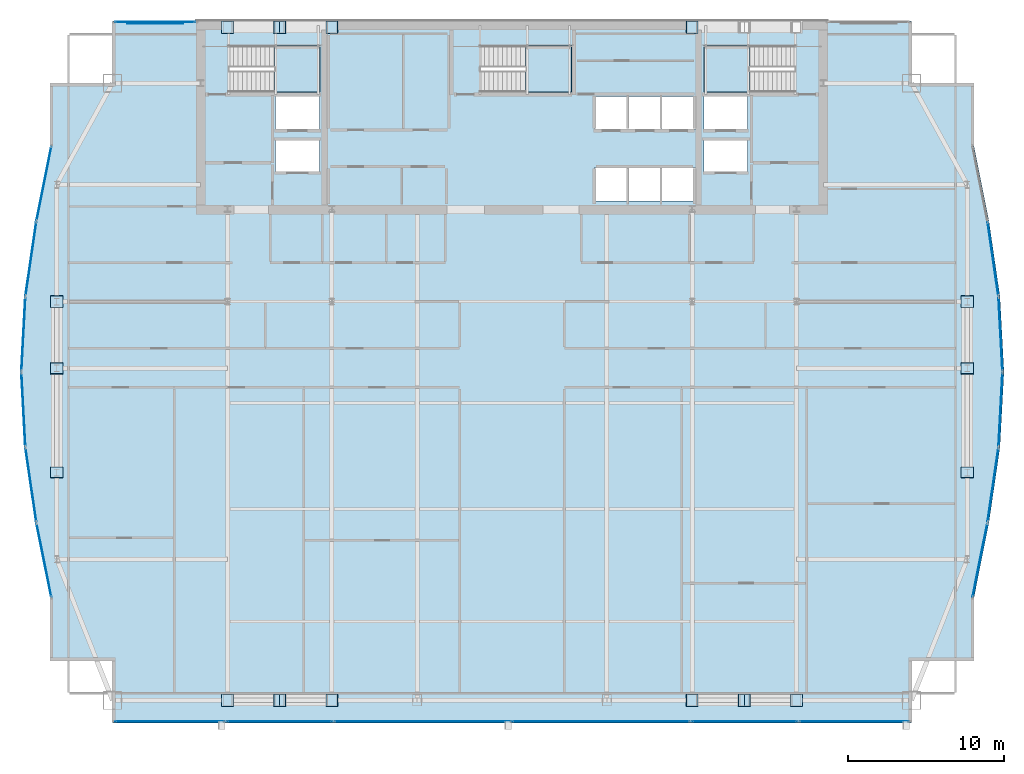
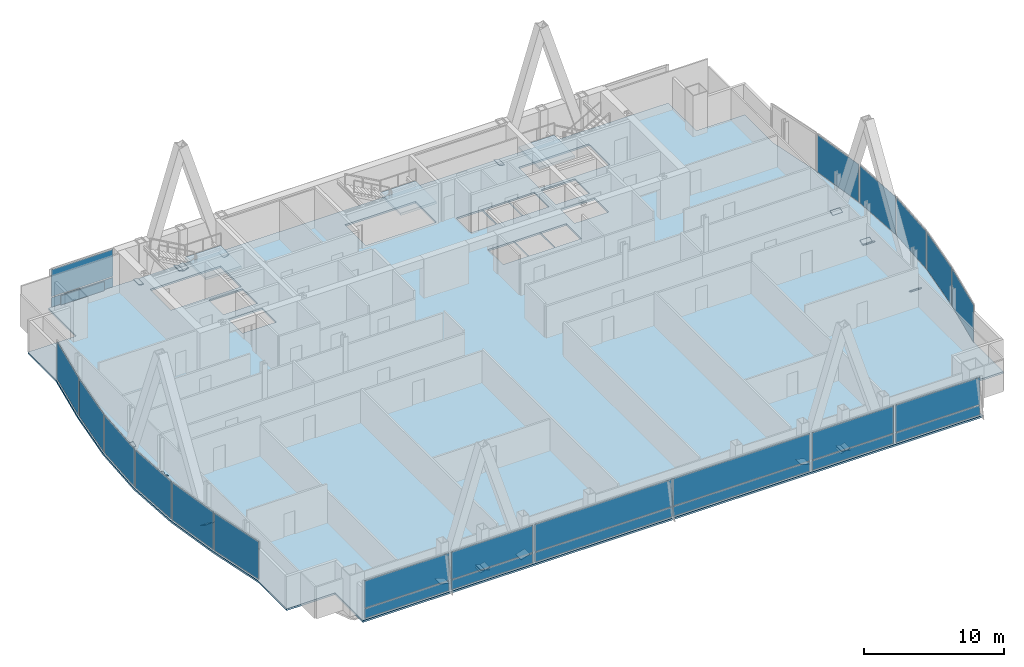
# One storey, part 26 of 32: 47 plates, 4 slabs, 20 elements without a shape of their own.
"""IFC4 building model written with IfcOpenShell, lengths in metres."""

import ifcopenshell
import ifcopenshell.guid

model = None  # the IFC model being written
_history = None  # IfcOwnerHistory: only IFC2X3 demands one
_inside = {}  # id of a spatial element -> (the spatial element, [elements in it])
_under = {}  # id of a project, library or spatial element -> (it, [spatial elements below it])
_declared = {}  # id of a project -> (the project, [libraries it declares])
_typed = {}  # id of a type object -> (the type object, [elements of that type])
_made_of = {}  # id of a material, layer set ... -> (it, [elements and type objects made of it])


def new_model(schema):
    """Start an empty IFC model of exactly this schema.

    Asked for "IFC4X3", IfcOpenShell would pick the latest addendum, in which some entities
    have other attributes; the version numbers below select the first issue.
    IFC2X3 requires an IfcOwnerHistory on every rooted entity: one is made here for all.
    """
    global model, _history
    if schema == "IFC4X3":
        model = ifcopenshell.file(schema_version=(4, 3, 0, 0))
    else:
        model = ifcopenshell.file(schema=schema)
    _inside.clear()
    _under.clear()
    _declared.clear()
    _typed.clear()
    _made_of.clear()
    _history = None
    if model.schema == "IFC2X3":
        org = make("IfcOrganization", Name="unknown")
        user = make(
            "IfcPersonAndOrganization",
            ThePerson=make("IfcPerson", FamilyName="unknown"),
            TheOrganization=org,
        )
        app = make(
            "IfcApplication",
            ApplicationDeveloper=org,
            Version="unknown",
            ApplicationFullName="unknown",
            ApplicationIdentifier="unknown",
        )
        _history = make(
            "IfcOwnerHistory",
            OwningUser=user,
            OwningApplication=app,
            ChangeAction="ADDED",
            CreationDate=0,
        )
    return model


def make(cls, **values):
    """One entity of the class cls with the attributes given. An attribute that is None is left unset."""
    return model.create_entity(
        cls, **{name: value for name, value in values.items() if value is not None}
    )


def rooted(cls, **values):
    """An entity with a GlobalId (a new one), such as an element, a storey or a relation."""
    return make(cls, GlobalId=ifcopenshell.guid.new(), OwnerHistory=_history, **values)


def si_unit(unit_type, name, prefix=None):
    """IfcSIUnit, for example si_unit("LENGTHUNIT", "METRE", prefix="MILLI")."""
    return make("IfcSIUnit", UnitType=unit_type, Prefix=prefix, Name=name)


def assignment(units):
    """IfcUnitAssignment: the units of a project."""
    return None if units is None else make("IfcUnitAssignment", Units=units)


def point(xyz):
    """IfcCartesianPoint."""
    return None if xyz is None else make("IfcCartesianPoint", Coordinates=xyz)


def direction(xyz):
    """IfcDirection."""
    return None if xyz is None else make("IfcDirection", DirectionRatios=xyz)


def frame(location, z_axis=None, x_axis=None):
    """IfcAxis2Placement3D, a coordinate frame: its origin and axes. An axis left out is left unset."""
    return make(
        "IfcAxis2Placement3D",
        Location=point(location),
        Axis=direction(z_axis),
        RefDirection=direction(x_axis),
    )


def frame_2d(location, x_axis=None):
    """IfcAxis2Placement2D, a coordinate frame in the plane: its origin and x axis."""
    return make(
        "IfcAxis2Placement2D", Location=point(location), RefDirection=direction(x_axis)
    )


def origin():
    """The frame at (0, 0, 0) with its axes left unset."""
    return frame((0.0, 0.0, 0.0))


def origin_2d():
    """The frame at (0, 0) in the plane with its x axis left unset."""
    return frame_2d((0.0, 0.0))


def place(relative_to, where):
    """IfcLocalPlacement: puts the frame where relative to a parent placement (None: the world)."""
    return make(
        "IfcLocalPlacement", PlacementRelTo=relative_to, RelativePlacement=where
    )


def context(
    kind, dimensions, precision=None, world=None, true_north=None, identifier=None
):
    """IfcGeometricRepresentationContext, for example the 3D "Model" context."""
    return make(
        "IfcGeometricRepresentationContext",
        ContextIdentifier=identifier,
        ContextType=kind,
        CoordinateSpaceDimension=dimensions,
        Precision=precision,
        WorldCoordinateSystem=world,
        TrueNorth=true_north,
    )


def subcontext(parent, identifier, kind, view, scale=None):
    """IfcGeometricRepresentationSubContext, for example "Body" below "Model"."""
    return make(
        "IfcGeometricRepresentationSubContext",
        ContextIdentifier=identifier,
        ContextType=kind,
        ParentContext=parent,
        TargetScale=scale,
        TargetView=view,
    )


def project(units=None, contexts=None):
    """IfcProject with its units and contexts."""
    return rooted(
        "IfcProject",
        Name="project",
        RepresentationContexts=contexts,
        UnitsInContext=assignment(units),
    )


def spatial(cls, under=None, at=None, **own):
    """A site, building, storey or space (cls), placed at a placement, below another one or the project."""
    s = rooted(cls, ObjectPlacement=at, **own)
    if under is not None:
        _under.setdefault(under.id(), (under, []))[1].append(s)
    return s


def polyline(points):
    """IfcPolyline through the points."""
    return make("IfcPolyline", Points=[point(p) for p in points])


def profile(cls, at=None, kind="AREA", **sizes):
    """A parametric profile (cls). Its sizes go by their IFC names, for example OverallWidth=200.0."""
    return make(cls, ProfileType=kind, Position=at, **sizes)


def rectangle(**sizes):
    """IfcRectangleProfileDef."""
    return profile("IfcRectangleProfileDef", **sizes)


def outline(outer, holes=None, kind="AREA"):
    """IfcArbitraryClosedProfileDef: a profile drawn as a closed curve; with holes, ...WithVoids."""
    if holes is None:
        return make("IfcArbitraryClosedProfileDef", ProfileType=kind, OuterCurve=outer)
    return make(
        "IfcArbitraryProfileDefWithVoids",
        ProfileType=kind,
        OuterCurve=outer,
        InnerCurves=holes,
    )


def extrude(swept, where, along, depth):
    """IfcExtrudedAreaSolid: the profile swept, set in the frame where, extruded along a direction by depth."""
    return make(
        "IfcExtrudedAreaSolid",
        SweptArea=swept,
        Position=where,
        ExtrudedDirection=direction(along),
        Depth=depth,
    )


def shape(context_of_items, identifier, shape_type, items):
    """IfcShapeRepresentation: the items that make up one representation, for example the "Body"."""
    return make(
        "IfcShapeRepresentation",
        ContextOfItems=context_of_items,
        RepresentationIdentifier=identifier,
        RepresentationType=shape_type,
        Items=items,
    )


def material(Name=None, Category=None):
    """IfcMaterial."""
    return make("IfcMaterial", Name=Name, Category=Category)


def layer(
    of_material, thickness, ventilated=None, Name=None, Category=None, Priority=None
):
    """IfcMaterialLayer: one layer of a wall or slab, of a material (None: an air gap)."""
    return make(
        "IfcMaterialLayer",
        Material=of_material,
        LayerThickness=thickness,
        IsVentilated=ventilated,
        Name=Name,
        Category=Category,
        Priority=Priority,
    )


def layer_set(layers, Name=None):
    """IfcMaterialLayerSet."""
    return make("IfcMaterialLayerSet", MaterialLayers=layers, LayerSetName=Name)


def made_of(thing, what):
    """Note that an element or type object is made of a material, layer set ...; save() writes the relation."""
    if what is not None:
        _made_of.setdefault(what.id(), (what, []))[1].append(thing)
    return thing


def type_object(cls, material=None, **own):
    """A type object (cls), such as IfcWallType, which elements share."""
    return made_of(rooted(cls, **own), material)


def element(
    cls,
    number,
    at=None,
    inside=None,
    cuts=None,
    type_object=None,
    material=None,
    context=None,
    identifier="Body",
    shape_type=None,
    held_by="IfcProductDefinitionShape",
    body=None,
    shapes=None,
    **own,
):
    """One element of the class cls, such as IfcWall. Its Tag is "e" and its number.

    at: its placement. inside: the storey or other place that contains it. cuts: it is an
    opening in that element (IfcRelVoidsElement). A single representation is given by context,
    identifier, shape_type and body (its items); several are given by shapes. held_by: the class
    of the entity that holds the representations. save() writes the other relations.
    """
    e = rooted(cls, Tag="e%d" % number, ObjectPlacement=at, **own)
    if body is not None:
        shapes = [shape(context, identifier, shape_type, body)]
    if shapes is not None:
        e.Representation = make(held_by, Representations=shapes)
    if inside is not None:
        _inside.setdefault(inside.id(), (inside, []))[1].append(e)
    if cuts is not None:
        rooted(
            "IfcRelVoidsElement", RelatingBuildingElement=cuts, RelatedOpeningElement=e
        )
    if type_object is not None:
        _typed.setdefault(type_object.id(), (type_object, []))[1].append(e)
    return made_of(e, material)


def aggregate(whole, parts):
    """IfcRelAggregates: a whole, such as a stair, and the parts it consists of."""
    return rooted("IfcRelAggregates", RelatingObject=whole, RelatedObjects=parts)


def save(model, path):
    """Write the relations noted so far, then the file.

    IfcRelAggregates (storeys below a building ...), IfcRelContainedInSpatialStructure (elements
    in a storey), IfcRelDefinesByType, IfcRelAssociatesMaterial and IfcRelDeclares: one each for
    every whole, place, type object, material and project.
    """
    for whole, parts in _under.values():
        aggregate(whole, parts)
    for where, things in _inside.values():
        rooted(
            "IfcRelContainedInSpatialStructure",
            RelatedElements=things,
            RelatingStructure=where,
        )
    for kind, things in _typed.values():
        rooted("IfcRelDefinesByType", RelatedObjects=things, RelatingType=kind)
    for what, things in _made_of.values():
        rooted("IfcRelAssociatesMaterial", RelatedObjects=things, RelatingMaterial=what)
    for by, libraries in _declared.values():
        rooted("IfcRelDeclares", RelatingContext=by, RelatedDefinitions=libraries)
    model.write(path)


model = new_model("IFC4")

# Units and contexts
model_context = context("Model", 3, precision=1e-05, world=origin(), true_north=direction((0.0, 1.0)))
body_context = subcontext(model_context, "Body", "Model", "MODEL_VIEW")
ifc_project = project(units=[si_unit("LENGTHUNIT", "METRE"), si_unit("AREAUNIT", "SQUARE_METRE"), si_unit("VOLUMEUNIT", "CUBIC_METRE"), si_unit("PLANEANGLEUNIT", "RADIAN"), si_unit("MASSUNIT", "GRAM", prefix="KILO")], contexts=[model_context])

# Site, building, storey
site_placement = place(None, origin())
site = spatial("IfcSite", under=ifc_project, at=site_placement, CompositionType="ELEMENT")
building_placement = place(site_placement, origin())
building = spatial("IfcBuilding", under=site, at=building_placement, Name="Khoronbel Lancet Exchange", CompositionType="ELEMENT")
storey_placement = place(building_placement, frame((0.0, 0.0, 221.0)))
storey = spatial("IfcBuildingStorey", under=building, at=storey_placement, Name="L56", CompositionType="ELEMENT", Elevation=221.0)

# Curtain wall, plate
ifc_material_1 = material(Name="Low-E Solar Control Insulating Glass", Category="glass")
curtain_wall_type_1 = type_object("IfcCurtainWallType", Name="CW-4", PredefinedType="NOTDEFINED", material=ifc_material_1)
curtain_wall_1_placement = place(storey_placement, origin())
curtain_wall_1 = element("IfcCurtainWall", 1, at=curtain_wall_1_placement, inside=storey, type_object=curtain_wall_type_1, Name="Unitised curtain wall CW-L56-E05", PredefinedType="NOTDEFINED")
ifc_material_2 = material(Name="Bronze-Anodised Aluminium 6063-T6", Category="aluminium")
ifc_layer_1 = layer(ifc_material_2, 0.050048828125, Name="Bronze-Anodised Aluminium 6063-T6")
ifc_layer_set_1 = layer_set([ifc_layer_1], Name="Bronze-Anodised Aluminium 6063-T6")
plate_type_1 = type_object("IfcPlateType", Name="PLT-CSP1", PredefinedType="SHEET", material=ifc_layer_set_1)
plate_1_placement = place(storey_placement, frame((5.62060546875, 23.962158203125, 0.0849609375), z_axis=(0.0, 0.0, 1.0), x_axis=(-0.144640583019, 0.989484260483, 0.0)))
plate_1 = element("IfcPlate", 2, at=plate_1_placement, type_object=plate_type_1, Name="CW4 panel 1.1", PredefinedType="CURTAIN_PANEL", context=body_context, shape_type="SweptSolid", body=[
    extrude(rectangle(XDim=4.728271484375, YDim=0.0380859375, at=origin_2d()), origin(), (0.0, 0.0, 1.0), 3.27001953125),
])
aggregate(curtain_wall_1, [plate_1])

curtain_wall_2_placement = place(storey_placement, origin())
curtain_wall_2 = element("IfcCurtainWall", 3, at=curtain_wall_2_placement, inside=storey, type_object=curtain_wall_type_1, Name="Unitised curtain wall CW-L56-E06", PredefinedType="NOTDEFINED")
plate_2_placement = place(storey_placement, frame((5.138916015625, 28.787841796875, 0.0849609375), z_axis=(0.0, 0.0, 1.0), x_axis=(-0.053443123521, 0.998570895104, 0.0)))
plate_2 = element("IfcPlate", 4, at=plate_2_placement, type_object=plate_type_1, Name="CW4 panel 1.1", PredefinedType="CURTAIN_PANEL", context=body_context, shape_type="SweptSolid", body=[
    extrude(rectangle(XDim=4.681396484375, YDim=0.0380859375, at=origin_2d()), origin(), (0.0, 0.0, 1.0), 3.27001953125),
])
aggregate(curtain_wall_2, [plate_2])

curtain_wall_3_placement = place(storey_placement, origin())
curtain_wall_3 = element("IfcCurtainWall", 5, at=curtain_wall_3_placement, inside=storey, type_object=curtain_wall_type_1, Name="Unitised curtain wall CW-L56-E07", PredefinedType="NOTDEFINED")
plate_3_placement = place(storey_placement, frame((5.138916015625, 33.6123046875, 0.0849609375), z_axis=(0.0, 0.0, 1.0), x_axis=(0.053443123521, 0.998570895104, 0.0)))
plate_3 = element("IfcPlate", 6, at=plate_3_placement, type_object=plate_type_1, Name="CW4 panel 1.1", PredefinedType="CURTAIN_PANEL", context=body_context, shape_type="SweptSolid", body=[
    extrude(rectangle(XDim=4.681396484375, YDim=0.0380859375, at=origin_2d()), origin(), (0.0, 0.0, 1.0), 3.27001953125),
])
aggregate(curtain_wall_3, [plate_3])

curtain_wall_4_placement = place(storey_placement, origin())
curtain_wall_4 = element("IfcCurtainWall", 7, at=curtain_wall_4_placement, inside=storey, type_object=curtain_wall_type_1, Name="Unitised curtain wall CW-L56-E08", PredefinedType="NOTDEFINED")
plate_4_placement = place(storey_placement, frame((5.62060546875, 38.43798828125, 0.0849609375), z_axis=(0.0, 0.0, 1.0), x_axis=(0.144640583019, 0.989484260483, 0.0)))
plate_4 = element("IfcPlate", 8, at=plate_4_placement, type_object=plate_type_1, Name="CW4 panel 1.1", PredefinedType="CURTAIN_PANEL", context=body_context, shape_type="SweptSolid", body=[
    extrude(rectangle(XDim=4.728271484375, YDim=0.0380859375, at=origin_2d()), origin(), (0.0, 0.0, 1.0), 3.27001953125),
])
aggregate(curtain_wall_4, [plate_4])

curtain_wall_type_2 = type_object("IfcCurtainWallType", Name="CW-3", PredefinedType="NOTDEFINED", material=ifc_material_1)
curtain_wall_5_placement = place(storey_placement, origin())
curtain_wall_5 = element("IfcCurtainWall", 9, at=curtain_wall_5_placement, inside=storey, type_object=curtain_wall_type_2, Name="Unitised curtain wall CW-L56-NWFLK", PredefinedType="NOTDEFINED")
plate_5_placement = place(storey_placement, frame((13.580078125, 53.550048828125, 0.0498046875), z_axis=(0.0, 0.0, 1.0), x_axis=(-1.0, 0.0, 0.0)))
plate_5 = element("IfcPlate", 10, at=plate_5_placement, type_object=plate_type_1, Name="Insulated bronze spandrel cassette CW-L56-NWFLK", PredefinedType="SHEET", context=body_context, shape_type="SweptSolid", body=[
    extrude(rectangle(XDim=3.60009765625, YDim=0.050048828125, at=origin_2d()), origin(), (0.0, 0.0, 1.0), 0.800048828125),
])

curtain_wall_6_placement = place(storey_placement, origin())
curtain_wall_6 = element("IfcCurtainWall", 11, at=curtain_wall_6_placement, inside=storey, type_object=curtain_wall_type_1, Name="Unitised curtain wall CW-L56-E18", PredefinedType="NOTDEFINED")
plate_6_placement = place(storey_placement, frame((67.279296875, 38.43798828125, 0.0849609375), z_axis=(0.0, 0.0, 1.0), x_axis=(0.144640583019, -0.989484260483, 0.0)))
plate_6 = element("IfcPlate", 12, at=plate_6_placement, type_object=plate_type_1, Name="CW4 panel 1.1", PredefinedType="CURTAIN_PANEL", context=body_context, shape_type="SweptSolid", body=[
    extrude(rectangle(XDim=4.728271484375, YDim=0.0380859375, at=origin_2d()), origin(), (0.0, 0.0, 1.0), 3.27001953125),
])
aggregate(curtain_wall_6, [plate_6])

curtain_wall_7_placement = place(storey_placement, origin())
curtain_wall_7 = element("IfcCurtainWall", 13, at=curtain_wall_7_placement, inside=storey, type_object=curtain_wall_type_1, Name="Unitised curtain wall CW-L56-E19", PredefinedType="NOTDEFINED")
plate_7_placement = place(storey_placement, frame((67.76123046875, 33.6123046875, 0.0849609375), z_axis=(0.0, 0.0, 1.0), x_axis=(0.053443123521, -0.998570895104, 0.0)))
plate_7 = element("IfcPlate", 14, at=plate_7_placement, type_object=plate_type_1, Name="CW4 panel 1.1", PredefinedType="CURTAIN_PANEL", context=body_context, shape_type="SweptSolid", body=[
    extrude(rectangle(XDim=4.681396484375, YDim=0.0380859375, at=origin_2d()), origin(), (0.0, 0.0, 1.0), 3.27001953125),
])
aggregate(curtain_wall_7, [plate_7])

curtain_wall_8_placement = place(storey_placement, origin())
curtain_wall_8 = element("IfcCurtainWall", 15, at=curtain_wall_8_placement, inside=storey, type_object=curtain_wall_type_1, Name="Unitised curtain wall CW-L56-E20", PredefinedType="NOTDEFINED")
plate_8_placement = place(storey_placement, frame((67.76123046875, 28.787841796875, 0.0849609375), z_axis=(0.0, 0.0, 1.0), x_axis=(-0.053443123521, -0.998570895104, 0.0)))
plate_8 = element("IfcPlate", 16, at=plate_8_placement, type_object=plate_type_1, Name="CW4 panel 1.1", PredefinedType="CURTAIN_PANEL", context=body_context, shape_type="SweptSolid", body=[
    extrude(rectangle(XDim=4.681396484375, YDim=0.0380859375, at=origin_2d()), origin(), (0.0, 0.0, 1.0), 3.27001953125),
])
aggregate(curtain_wall_8, [plate_8])

curtain_wall_9_placement = place(storey_placement, origin())
curtain_wall_9 = element("IfcCurtainWall", 17, at=curtain_wall_9_placement, inside=storey, type_object=curtain_wall_type_1, Name="Unitised curtain wall CW-L56-E21", PredefinedType="NOTDEFINED")
plate_9_placement = place(storey_placement, frame((67.279296875, 23.962158203125, 0.0849609375), z_axis=(0.0, 0.0, 1.0), x_axis=(-0.144640583019, -0.989484260483, 0.0)))
plate_9 = element("IfcPlate", 18, at=plate_9_placement, type_object=plate_type_1, Name="CW4 panel 1.1", PredefinedType="CURTAIN_PANEL", context=body_context, shape_type="SweptSolid", body=[
    extrude(rectangle(XDim=4.728271484375, YDim=0.0380859375, at=origin_2d()), origin(), (0.0, 0.0, 1.0), 3.27001953125),
])
aggregate(curtain_wall_9, [plate_9])

# Curtain wall, plates
curtain_wall_10_placement = place(storey_placement, origin())
curtain_wall_10 = element("IfcCurtainWall", 19, at=curtain_wall_10_placement, inside=storey, type_object=curtain_wall_type_2, Name="Unitised curtain wall CW-L56-SWB", PredefinedType="NOTDEFINED")
plate_10_placement = place(storey_placement, frame((21.550048828125, 8.7900390625, 0.0849609375), z_axis=(0.0, 0.0, 1.0), x_axis=(1.0, 0.0, 0.0)))
plate_10 = element("IfcPlate", 20, at=plate_10_placement, type_object=plate_type_1, Name="CW3 panel 1.1", PredefinedType="CURTAIN_PANEL", context=body_context, shape_type="SweptSolid", body=[
    extrude(rectangle(XDim=6.72998046875, YDim=0.0380859375, at=origin_2d()), origin(), (0.0, 0.0, 1.0), 0.822509765625),
])
plate_11_placement = place(storey_placement, frame((21.550048828125, 8.7900390625, 0.99267578125), z_axis=(0.0, 0.0, 1.0), x_axis=(1.0, 0.0, 0.0)))
plate_11 = element("IfcPlate", 21, at=plate_11_placement, type_object=plate_type_1, Name="CW3 panel 1.2", PredefinedType="CURTAIN_PANEL", context=body_context, shape_type="SweptSolid", body=[
    extrude(rectangle(XDim=6.72998046875, YDim=0.0380859375, at=origin_2d()), origin(), (0.0, 0.0, 1.0), 2.362548828125),
])
aggregate(curtain_wall_10, [plate_10, plate_11])

curtain_wall_11_placement = place(storey_placement, origin())
curtain_wall_11 = element("IfcCurtainWall", 22, at=curtain_wall_11_placement, inside=storey, type_object=curtain_wall_type_2, Name="Unitised curtain wall CW-L56-SEB", PredefinedType="NOTDEFINED")
plate_12_placement = place(storey_placement, frame((51.35009765625, 8.7900390625, 0.0849609375), z_axis=(0.0, 0.0, 1.0), x_axis=(1.0, 0.0, 0.0)))
plate_12 = element("IfcPlate", 23, at=plate_12_placement, type_object=plate_type_1, Name="CW3 panel 1.1", PredefinedType="CURTAIN_PANEL", context=body_context, shape_type="SweptSolid", body=[
    extrude(rectangle(XDim=6.72998046875, YDim=0.0380859375, at=origin_2d()), origin(), (0.0, 0.0, 1.0), 0.822509765625),
])
plate_13_placement = place(storey_placement, frame((51.35009765625, 8.7900390625, 0.99267578125), z_axis=(0.0, 0.0, 1.0), x_axis=(1.0, 0.0, 0.0)))
plate_13 = element("IfcPlate", 24, at=plate_13_placement, type_object=plate_type_1, Name="CW3 panel 1.2", PredefinedType="CURTAIN_PANEL", context=body_context, shape_type="SweptSolid", body=[
    extrude(rectangle(XDim=6.72998046875, YDim=0.0380859375, at=origin_2d()), origin(), (0.0, 0.0, 1.0), 2.362548828125),
])
aggregate(curtain_wall_11, [plate_12, plate_13])

# Plate
ifc_layer_2 = layer(ifc_material_1, 0.035888671875, Name="Low-E Solar Control Insulating Glass")
ifc_layer_set_2 = layer_set([ifc_layer_2], Name="Low-E Solar Control Insulating Glass")
plate_type_2 = type_object("IfcPlateType", Name="PLT-CWP1", PredefinedType="CURTAIN_PANEL", material=ifc_layer_set_2)
plate_14_placement = place(storey_placement, frame((13.580078125, 53.610107421875, 0.0849609375), z_axis=(0.0, 0.0, 1.0), x_axis=(-1.0, 0.0, 0.0)))
plate_14 = element("IfcPlate", 25, at=plate_14_placement, type_object=plate_type_2, Name="CW3 panel 1.1", PredefinedType="CURTAIN_PANEL", context=body_context, shape_type="SweptSolid", body=[
    extrude(rectangle(XDim=5.110107421875, YDim=0.0380859375, at=origin_2d()), origin(), (0.0, 0.0, 1.0), 0.822509765625),
])

plate_15_placement = place(storey_placement, frame((13.580078125, 53.610107421875, 0.99267578125), z_axis=(0.0, 0.0, 1.0), x_axis=(-1.0, 0.0, 0.0)))
plate_15 = element("IfcPlate", 26, at=plate_15_placement, type_object=plate_type_2, Name="CW3 panel 1.2", PredefinedType="CURTAIN_PANEL", context=body_context, shape_type="SweptSolid", body=[
    extrude(rectangle(XDim=5.110107421875, YDim=0.0380859375, at=origin_2d()), origin(), (0.0, 0.0, 1.0), 2.362548828125),
])

aggregate(curtain_wall_5, [plate_14, plate_15, plate_5])

# Curtain wall, plates
curtain_wall_12_placement = place(storey_placement, origin())
curtain_wall_12 = element("IfcCurtainWall", 27, at=curtain_wall_12_placement, inside=storey, type_object=curtain_wall_type_2, Name="Unitised curtain wall CW-L56-SWV", PredefinedType="NOTDEFINED")
plate_16_placement = place(storey_placement, frame((14.52001953125, 8.7900390625, 0.0849609375), z_axis=(0.0, 0.0, 1.0), x_axis=(1.0, 0.0, 0.0)))
plate_16 = element("IfcPlate", 28, at=plate_16_placement, type_object=plate_type_2, Name="CW3 panel 1.1", PredefinedType="CURTAIN_PANEL", context=body_context, shape_type="SweptSolid", body=[
    extrude(rectangle(XDim=6.989990234375, YDim=0.0380859375, at=origin_2d()), origin(), (0.0, 0.0, 1.0), 0.822509765625),
])
plate_17_placement = place(storey_placement, frame((14.52001953125, 8.7900390625, 0.99267578125), z_axis=(0.0, 0.0, 1.0), x_axis=(1.0, 0.0, 0.0)))
plate_17 = element("IfcPlate", 29, at=plate_17_placement, type_object=plate_type_2, Name="CW3 panel 1.2", PredefinedType="CURTAIN_PANEL", context=body_context, shape_type="SweptSolid", body=[
    extrude(rectangle(XDim=6.989990234375, YDim=0.0380859375, at=origin_2d()), origin(), (0.0, 0.0, 1.0), 2.362548828125),
])
aggregate(curtain_wall_12, [plate_16, plate_17])

curtain_wall_13_placement = place(storey_placement, origin())
curtain_wall_13 = element("IfcCurtainWall", 30, at=curtain_wall_13_placement, inside=storey, type_object=curtain_wall_type_2, Name="Unitised curtain wall CW-L56-SCV", PredefinedType="NOTDEFINED")
plate_18_placement = place(storey_placement, frame((30.746337890625, 8.7900390625, 0.0849609375), z_axis=(0.0, 0.0, 1.0), x_axis=(1.0, 0.0, 0.0)))
plate_18 = element("IfcPlate", 31, at=plate_18_placement, type_object=plate_type_2, Name="CW3 panel 1.1", PredefinedType="CURTAIN_PANEL", context=body_context, shape_type="SweptSolid", body=[
    extrude(rectangle(XDim=11.322509765625, YDim=0.0380859375, at=origin_2d()), origin(), (0.0, 0.0, 1.0), 0.822509765625),
])
plate_19_placement = place(storey_placement, frame((30.746337890625, 8.7900390625, 0.99267578125), z_axis=(0.0, 0.0, 1.0), x_axis=(1.0, 0.0, 0.0)))
plate_19 = element("IfcPlate", 32, at=plate_19_placement, type_object=plate_type_2, Name="CW3 panel 1.2", PredefinedType="CURTAIN_PANEL", context=body_context, shape_type="SweptSolid", body=[
    extrude(rectangle(XDim=11.322509765625, YDim=0.0380859375, at=origin_2d()), origin(), (0.0, 0.0, 1.0), 2.362548828125),
])
plate_20_placement = place(storey_placement, frame((42.15380859375, 8.7900390625, 0.0849609375), z_axis=(0.0, 0.0, 1.0), x_axis=(1.0, 0.0, 0.0)))
plate_20 = element("IfcPlate", 33, at=plate_20_placement, type_object=plate_type_2, Name="CW3 panel 2.1", PredefinedType="CURTAIN_PANEL", context=body_context, shape_type="SweptSolid", body=[
    extrude(rectangle(XDim=11.322509765625, YDim=0.0380859375, at=origin_2d()), origin(), (0.0, 0.0, 1.0), 0.822509765625),
])
plate_21_placement = place(storey_placement, frame((42.15380859375, 8.7900390625, 0.99267578125), z_axis=(0.0, 0.0, 1.0), x_axis=(1.0, 0.0, 0.0)))
plate_21 = element("IfcPlate", 34, at=plate_21_placement, type_object=plate_type_2, Name="CW3 panel 2.2", PredefinedType="CURTAIN_PANEL", context=body_context, shape_type="SweptSolid", body=[
    extrude(rectangle(XDim=11.322509765625, YDim=0.0380859375, at=origin_2d()), origin(), (0.0, 0.0, 1.0), 2.362548828125),
])
aggregate(curtain_wall_13, [plate_18, plate_19, plate_20, plate_21])

curtain_wall_14_placement = place(storey_placement, origin())
curtain_wall_14 = element("IfcCurtainWall", 35, at=curtain_wall_14_placement, inside=storey, type_object=curtain_wall_type_2, Name="Unitised curtain wall CW-L56-SEV", PredefinedType="NOTDEFINED")
plate_22_placement = place(storey_placement, frame((58.3798828125, 8.7900390625, 0.0849609375), z_axis=(0.0, 0.0, 1.0), x_axis=(1.0, 0.0, 0.0)))
plate_22 = element("IfcPlate", 36, at=plate_22_placement, type_object=plate_type_2, Name="CW3 panel 1.1", PredefinedType="CURTAIN_PANEL", context=body_context, shape_type="SweptSolid", body=[
    extrude(rectangle(XDim=6.989990234375, YDim=0.0380859375, at=origin_2d()), origin(), (0.0, 0.0, 1.0), 0.822509765625),
])
plate_23_placement = place(storey_placement, frame((58.3798828125, 8.7900390625, 0.99267578125), z_axis=(0.0, 0.0, 1.0), x_axis=(1.0, 0.0, 0.0)))
plate_23 = element("IfcPlate", 37, at=plate_23_placement, type_object=plate_type_2, Name="CW3 panel 1.2", PredefinedType="CURTAIN_PANEL", context=body_context, shape_type="SweptSolid", body=[
    extrude(rectangle(XDim=6.989990234375, YDim=0.0380859375, at=origin_2d()), origin(), (0.0, 0.0, 1.0), 2.362548828125),
])
aggregate(curtain_wall_14, [plate_22, plate_23])

# Curtain wall, plate
curtain_wall_15_placement = place(storey_placement, origin())
curtain_wall_15 = element("IfcCurtainWall", 38, at=curtain_wall_15_placement, inside=storey, type_object=curtain_wall_type_1, Name="Unitised curtain wall CW-L56-E04", PredefinedType="NOTDEFINED")
ifc_material_3 = material(Name="Ceramic-Fritted Laminated Insulating Glass", Category="glass")
ifc_layer_3 = layer(ifc_material_3, 0.0419921875, Name="Ceramic-Fritted Laminated Insulating Glass")
ifc_layer_set_3 = layer_set([ifc_layer_3], Name="Ceramic-Fritted Laminated Insulating Glass")
plate_type_3 = type_object("IfcPlateType", Name="PLT-CWP2", PredefinedType="CURTAIN_PANEL", material=ifc_layer_set_3)
plate_24_placement = place(storey_placement, frame((6.456787109375, 19.128662109375, 0.0849609375), z_axis=(0.0, 0.0, 1.0), x_axis=(-0.19583557156, 0.980636746666, 0.0)))
plate_24 = element("IfcPlate", 39, at=plate_24_placement, type_object=plate_type_3, Name="CW4 panel 1.1", PredefinedType="CURTAIN_PANEL", context=body_context, shape_type="SweptSolid", body=[
    extrude(rectangle(XDim=4.78515625, YDim=0.0380859375, at=origin_2d()), origin(), (0.0, 0.0, 1.0), 3.27001953125),
])
aggregate(curtain_wall_15, [plate_24])

curtain_wall_16_placement = place(storey_placement, origin())
curtain_wall_16 = element("IfcCurtainWall", 40, at=curtain_wall_16_placement, inside=storey, type_object=curtain_wall_type_1, Name="Unitised curtain wall CW-L56-E09", PredefinedType="NOTDEFINED")
plate_25_placement = place(storey_placement, frame((6.456787109375, 43.271240234375, 0.0849609375), z_axis=(0.0, 0.0, 1.0), x_axis=(0.19583557156, 0.980636746666, 0.0)))
plate_25 = element("IfcPlate", 41, at=plate_25_placement, type_object=plate_type_3, Name="CW4 panel 1.1", PredefinedType="CURTAIN_PANEL", context=body_context, shape_type="SweptSolid", body=[
    extrude(rectangle(XDim=4.78515625, YDim=0.0380859375, at=origin_2d()), origin(), (0.0, 0.0, 1.0), 3.27001953125),
])
aggregate(curtain_wall_16, [plate_25])

curtain_wall_17_placement = place(storey_placement, origin())
curtain_wall_17 = element("IfcCurtainWall", 42, at=curtain_wall_17_placement, inside=storey, type_object=curtain_wall_type_1, Name="Unitised curtain wall CW-L56-E22", PredefinedType="NOTDEFINED")
plate_26_placement = place(storey_placement, frame((66.443359375, 19.128662109375, 0.0849609375), z_axis=(0.0, 0.0, 1.0), x_axis=(-0.19583557156, -0.980636746666, 0.0)))
plate_26 = element("IfcPlate", 43, at=plate_26_placement, type_object=plate_type_3, Name="CW4 panel 1.1", PredefinedType="CURTAIN_PANEL", context=body_context, shape_type="SweptSolid", body=[
    extrude(rectangle(XDim=4.78515625, YDim=0.0380859375, at=origin_2d()), origin(), (0.0, 0.0, 1.0), 3.27001953125),
])
aggregate(curtain_wall_17, [plate_26])

# Plates
ifc_material_4 = material(Name="Steel S460", Category="steel")
ifc_layer_4 = layer(ifc_material_4, 0.044921875, Name="Steel S460")
ifc_layer_set_4 = layer_set([ifc_layer_4], Name="Steel S460")
plate_type_4 = type_object("IfcPlateType", Name="PLT-ECP1", PredefinedType="USERDEFINED", material=ifc_layer_set_4)
for number, where, z_axis, x_axis, name in (
    (44, (21.954345703125, 9.75, -0.086669921875), (0.295458235126, 0.0, 0.955355656966), (0.0, 1.0, 0.0), "Hollow end cap plate PLT-CAP-MEM-MB-T18-S-W-L-1"),
    (45, (21.170654296875, 10.550048828125, -0.086669921875), (-0.295458235126, 0.0, 0.955355656966), (0.0, -1.0, 0.0), "Hollow end cap plate PLT-CAP-MEM-MB-T18-S-W-R-1"),
):
    element("IfcPlate", number, at=place(storey_placement, frame(where, z_axis=z_axis, x_axis=x_axis)), inside=storey, type_object=plate_type_4, Name=name, ObjectType="STIFFENER_PLATE", PredefinedType="USERDEFINED", context=body_context, shape_type="SweptSolid", body=[
        extrude(outline(polyline([(0.0, 0.0), (0.800048828125, 0.0), (0.800048828125, 0.7998046875), (0.0, 0.7998046875), (0.0, 0.0)])), origin(), (0.0, 0.0, -1.0), 0.044921875),
    ])
for number, where, z_axis, x_axis, name in (
    (46, (51.7294921875, 9.75, -0.086669921875), (0.295372103756, 0.0, 0.955382290145), (0.0, 1.0, 0.0), "Hollow end cap plate PLT-CAP-MEM-MB-T18-S-E-L-1"),
    (47, (50.945556640625, 10.550048828125, -0.086669921875), (-0.295372103756, 0.0, 0.955382290145), (0.0, -1.0, 0.0), "Hollow end cap plate PLT-CAP-MEM-MB-T18-S-E-R-1"),
):
    element("IfcPlate", number, at=place(storey_placement, frame(where, z_axis=z_axis, x_axis=x_axis)), inside=storey, type_object=plate_type_4, Name=name, ObjectType="STIFFENER_PLATE", PredefinedType="USERDEFINED", context=body_context, shape_type="SweptSolid", body=[
        extrude(outline(polyline([(0.0, 0.0), (0.800048828125, 0.0), (0.800048828125, 0.800048828125), (0.0, 0.800048828125), (0.0, 0.0)])), origin(), (0.0, 0.0, -1.0), 0.044921875),
    ])
for number, where, z_axis, x_axis, name in (
    (48, (21.954345703125, 52.8798828125, -0.086669921875), (0.295458235126, 0.0, 0.955355656966), (0.0, 1.0, 0.0), "Hollow end cap plate PLT-CAP-MEM-MB-T18-N-W-L-1"),
    (49, (21.170654296875, 53.679931640625, -0.086669921875), (-0.295458235126, 0.0, 0.955355656966), (0.0, -1.0, 0.0), "Hollow end cap plate PLT-CAP-MEM-MB-T18-N-W-R-1"),
):
    element("IfcPlate", number, at=place(storey_placement, frame(where, z_axis=z_axis, x_axis=x_axis)), inside=storey, type_object=plate_type_4, Name=name, ObjectType="STIFFENER_PLATE", PredefinedType="USERDEFINED", context=body_context, shape_type="SweptSolid", body=[
        extrude(outline(polyline([(0.0, 0.0), (0.800048828125, 0.0), (0.800048828125, 0.7998046875), (0.0, 0.7998046875), (0.0, 0.0)])), origin(), (0.0, 0.0, -1.0), 0.044921875),
    ])
plate_27_placement = place(storey_placement, frame((7.669921875, 31.78271484375, -0.18212890625), z_axis=(0.0, 0.525492880722, 0.850797997359), x_axis=(-1.0, 0.0, 0.0)))
element("IfcPlate", 50, at=plate_27_placement, inside=storey, type_object=plate_type_4, Name="Hollow end cap plate PLT-CAP-MEM-MB-T18-W-P-L-1", ObjectType="STIFFENER_PLATE", PredefinedType="USERDEFINED", context=body_context, shape_type="SweptSolid", body=[
    extrude(outline(polyline([(0.0, 0.0), (0.7998046875, 0.0), (0.7998046875, 0.800048828125), (0.0, 0.800048828125), (0.0, 0.0)])), origin(), (0.0, 0.0, -1.0), 0.044921875),
])
plate_28_placement = place(storey_placement, frame((6.8701171875, 31.041015625, -0.116455078125), z_axis=(0.0, -0.368125419582, 0.929776142659), x_axis=(1.0, 0.0, 0.0)))
element("IfcPlate", 51, at=plate_28_placement, inside=storey, type_object=plate_type_4, Name="Hollow end cap plate PLT-CAP-MEM-MB-T18-W-P-R-1", ObjectType="STIFFENER_PLATE", PredefinedType="USERDEFINED", context=body_context, shape_type="SweptSolid", body=[
    extrude(outline(polyline([(0.0, 0.0), (0.7998046875, 0.0), (0.7998046875, 0.7998046875), (0.0, 0.7998046875), (0.0, 0.0)])), origin(), (0.0, 0.0, -1.0), 0.044921875),
])
plate_29_placement = place(storey_placement, frame((66.030029296875, 31.78271484375, -0.18212890625), z_axis=(0.0, 0.525492880722, 0.850797997359), x_axis=(-1.0, 0.0, 0.0)))
element("IfcPlate", 52, at=plate_29_placement, inside=storey, type_object=plate_type_4, Name="Hollow end cap plate PLT-CAP-MEM-MB-T18-E-P-L-1", ObjectType="STIFFENER_PLATE", PredefinedType="USERDEFINED", context=body_context, shape_type="SweptSolid", body=[
    extrude(outline(polyline([(0.0, 0.0), (0.800048828125, 0.0), (0.800048828125, 0.800048828125), (0.0, 0.800048828125), (0.0, 0.0)])), origin(), (0.0, 0.0, -1.0), 0.044921875),
])
for number, where, z_axis, x_axis, name in (
    (53, (65.22998046875, 31.041015625, -0.116455078125), (0.0, -0.368125419582, 0.929776142659), (1.0, 0.0, 0.0), "Hollow end cap plate PLT-CAP-MEM-MB-T18-E-P-R-1"),
    (54, (18.610595703125, 9.75, -0.106689453125), (0.295458235126, 0.0, 0.955355656966), (0.0, 1.0, 0.0), "Hollow end cap plate PLT-CAP-MEM-MB-T19-S-W-L-0"),
    (55, (24.514404296875, 10.550048828125, -0.106689453125), (-0.295458235126, 0.0, 0.955355656966), (0.0, -1.0, 0.0), "Hollow end cap plate PLT-CAP-MEM-MB-T19-S-W-R-0"),
):
    element("IfcPlate", number, at=place(storey_placement, frame(where, z_axis=z_axis, x_axis=x_axis)), inside=storey, type_object=plate_type_4, Name=name, ObjectType="STIFFENER_PLATE", PredefinedType="USERDEFINED", context=body_context, shape_type="SweptSolid", body=[
        extrude(outline(polyline([(0.0, 0.0), (0.800048828125, 0.0), (0.800048828125, 0.7998046875), (0.0, 0.7998046875), (0.0, 0.0)])), origin(), (0.0, 0.0, -1.0), 0.044921875),
    ])
for number, where, z_axis, x_axis, name in (
    (56, (48.3857421875, 9.75, -0.106689453125), (0.295372103756, 0.0, 0.955382290145), (0.0, 1.0, 0.0), "Hollow end cap plate PLT-CAP-MEM-MB-T19-S-E-L-0"),
    (57, (54.289306640625, 10.550048828125, -0.106689453125), (-0.295372103756, 0.0, 0.955382290145), (0.0, -1.0, 0.0), "Hollow end cap plate PLT-CAP-MEM-MB-T19-S-E-R-0"),
):
    element("IfcPlate", number, at=place(storey_placement, frame(where, z_axis=z_axis, x_axis=x_axis)), inside=storey, type_object=plate_type_4, Name=name, ObjectType="STIFFENER_PLATE", PredefinedType="USERDEFINED", context=body_context, shape_type="SweptSolid", body=[
        extrude(outline(polyline([(0.0, 0.0), (0.800048828125, 0.0), (0.800048828125, 0.800048828125), (0.0, 0.800048828125), (0.0, 0.0)])), origin(), (0.0, 0.0, -1.0), 0.044921875),
    ])
for number, where, z_axis, x_axis, name in (
    (58, (18.610595703125, 52.8798828125, -0.106689453125), (0.295458235126, 0.0, 0.955355656966), (0.0, 1.0, 0.0), "Hollow end cap plate PLT-CAP-MEM-MB-T19-N-W-L-0"),
    (59, (24.514404296875, 53.679931640625, -0.106689453125), (-0.295458235126, 0.0, 0.955355656966), (0.0, -1.0, 0.0), "Hollow end cap plate PLT-CAP-MEM-MB-T19-N-W-R-0"),
):
    element("IfcPlate", number, at=place(storey_placement, frame(where, z_axis=z_axis, x_axis=x_axis)), inside=storey, type_object=plate_type_4, Name=name, ObjectType="STIFFENER_PLATE", PredefinedType="USERDEFINED", context=body_context, shape_type="SweptSolid", body=[
        extrude(outline(polyline([(0.0, 0.0), (0.800048828125, 0.0), (0.800048828125, 0.7998046875), (0.0, 0.7998046875), (0.0, 0.0)])), origin(), (0.0, 0.0, -1.0), 0.044921875),
    ])
plate_30_placement = place(storey_placement, frame((48.3857421875, 52.8798828125, -0.106689453125), z_axis=(0.295372103756, 0.0, 0.955382290145), x_axis=(0.0, 1.0, 0.0)))
element("IfcPlate", 60, at=plate_30_placement, inside=storey, type_object=plate_type_4, Name="Hollow end cap plate PLT-CAP-MEM-MB-T19-N-E-L-0", ObjectType="STIFFENER_PLATE", PredefinedType="USERDEFINED", context=body_context, shape_type="SweptSolid", body=[
    extrude(outline(polyline([(0.0, 0.0), (0.800048828125, 0.0), (0.800048828125, 0.800048828125), (0.0, 0.800048828125), (0.0, 0.0)])), origin(), (0.0, 0.0, -1.0), 0.044921875),
])
for number, where, z_axis, x_axis, name in (
    (61, (7.669921875, 25.0966796875, -0.2001953125), (0.0, 0.525713722958, 0.850661555199), (-1.0, 0.0, 0.0), "Hollow end cap plate PLT-CAP-MEM-MB-T19-W-P-L-0"),
    (62, (6.8701171875, 35.32373046875, -0.135986328125), (0.0, -0.368020969419, 0.92981749073), (1.0, 0.0, 0.0), "Hollow end cap plate PLT-CAP-MEM-MB-T19-W-P-R-0"),
):
    element("IfcPlate", number, at=place(storey_placement, frame(where, z_axis=z_axis, x_axis=x_axis)), inside=storey, type_object=plate_type_4, Name=name, ObjectType="STIFFENER_PLATE", PredefinedType="USERDEFINED", context=body_context, shape_type="SweptSolid", body=[
        extrude(outline(polyline([(0.0, 0.0), (0.7998046875, 0.0), (0.7998046875, 0.800048828125), (0.0, 0.800048828125), (0.0, 0.0)])), origin(), (0.0, 0.0, -1.0), 0.044921875),
    ])
for number, where, z_axis, x_axis, name in (
    (63, (66.030029296875, 25.0966796875, -0.2001953125), (0.0, 0.525713722958, 0.850661555199), (-1.0, 0.0, 0.0), "Hollow end cap plate PLT-CAP-MEM-MB-T19-E-P-L-0"),
    (64, (65.22998046875, 35.32373046875, -0.135986328125), (0.0, -0.368020969419, 0.92981749073), (1.0, 0.0, 0.0), "Hollow end cap plate PLT-CAP-MEM-MB-T19-E-P-R-0"),
):
    element("IfcPlate", number, at=place(storey_placement, frame(where, z_axis=z_axis, x_axis=x_axis)), inside=storey, type_object=plate_type_4, Name=name, ObjectType="STIFFENER_PLATE", PredefinedType="USERDEFINED", context=body_context, shape_type="SweptSolid", body=[
        extrude(outline(polyline([(0.0, 0.0), (0.800048828125, 0.0), (0.800048828125, 0.800048828125), (0.0, 0.800048828125), (0.0, 0.0)])), origin(), (0.0, 0.0, -1.0), 0.044921875),
    ])

# Slab
ifc_material_5 = material(Name="Concrete C40/50", Category="concrete")
ifc_layer_5 = layer(ifc_material_5, 0.159912109375, Name="Concrete C40/50")
ifc_layer_set_5 = layer_set([ifc_layer_5], Name="Concrete C40/50")
slab_type_1 = type_object("IfcSlabType", Name="SL-FL160", PredefinedType="FLOOR", material=ifc_layer_set_5)
slab_1_placement = place(storey_placement, frame((0.0, 0.0, -0.159912109375)))
element("IfcSlab", 65, at=slab_1_placement, inside=storey, type_object=slab_type_1, Name="Level L56 composite structural floor slab", PredefinedType="FLOOR", context=body_context, shape_type="SweptSolid", body=[
    extrude(outline(polyline([(10.85009765625, 8.699951171875), (62.050048828125, 8.699951171875), (62.050048828125, 12.699951171875), (66.050048828125, 12.699951171875), (66.050048828125, 16.699951171875), (67.01513671875, 21.533203125), (67.7216796875, 26.36669921875), (67.98046875, 31.199951171875), (67.7216796875, 36.033203125), (67.01513671875, 40.86669921875), (66.050048828125, 45.699951171875), (66.050048828125, 49.699951171875), (62.050048828125, 49.699951171875), (62.050048828125, 53.699951171875), (10.85009765625, 53.699951171875), (10.85009765625, 49.699951171875), (6.85009765625, 49.699951171875), (6.85009765625, 45.699951171875), (5.884765625, 40.86669921875), (5.17822265625, 36.033203125), (4.919677734375, 31.199951171875), (5.17822265625, 26.36669921875), (5.884765625, 21.533203125), (6.85009765625, 16.699951171875), (6.85009765625, 12.699951171875), (10.85009765625, 12.699951171875), (10.85009765625, 8.699951171875)]), holes=[polyline([(18.324951171875, 49.1201171875), (24.14990234375, 49.1201171875), (24.14990234375, 52.10009765625), (18.324951171875, 52.10009765625), (18.324951171875, 49.1201171875)]), polyline([(48.75, 49.1201171875), (54.574951171875, 49.1201171875), (54.574951171875, 52.10009765625), (48.75, 52.10009765625), (48.75, 49.1201171875)]), polyline([(34.425048828125, 49.1201171875), (40.25, 49.1201171875), (40.25, 52.10009765625), (34.425048828125, 52.10009765625), (34.425048828125, 49.1201171875)]), polyline([(41.739990234375, 46.75), (43.8798828125, 46.75), (43.8798828125, 48.85009765625), (41.739990234375, 48.85009765625), (41.739990234375, 46.75)]), polyline([(43.89990234375, 46.75), (46.0400390625, 46.75), (46.0400390625, 48.85009765625), (43.89990234375, 48.85009765625), (43.89990234375, 46.75)]), polyline([(46.06005859375, 46.75), (48.199951171875, 46.75), (48.199951171875, 48.85009765625), (46.06005859375, 48.85009765625), (46.06005859375, 46.75)]), polyline([(41.739990234375, 42.14990234375), (43.8798828125, 42.14990234375), (43.8798828125, 44.300048828125), (41.739990234375, 44.300048828125), (41.739990234375, 42.14990234375)]), polyline([(43.89990234375, 42.14990234375), (46.0400390625, 42.14990234375), (46.0400390625, 44.300048828125), (43.89990234375, 44.300048828125), (43.89990234375, 42.14990234375)]), polyline([(46.06005859375, 42.14990234375), (48.199951171875, 42.14990234375), (48.199951171875, 44.300048828125), (46.06005859375, 44.300048828125), (46.06005859375, 42.14990234375)]), polyline([(21.300048828125, 46.75), (24.10009765625, 46.75), (24.10009765625, 48.85009765625), (21.300048828125, 48.85009765625), (21.300048828125, 46.75)]), polyline([(48.75, 46.75), (51.550048828125, 46.75), (51.550048828125, 48.85009765625), (48.75, 48.85009765625), (48.75, 46.75)]), polyline([(21.300048828125, 44.050048828125), (24.10009765625, 44.050048828125), (24.10009765625, 46.050048828125), (21.300048828125, 46.050048828125), (21.300048828125, 44.050048828125)]), polyline([(48.75, 44.050048828125), (51.550048828125, 44.050048828125), (51.550048828125, 46.050048828125), (48.75, 46.050048828125), (48.75, 44.050048828125)])]), origin(), (0.0, 0.0, 1.0), 0.159912109375),
])

# Stair, slab
stair_type = type_object("IfcStairType", Name="STR-CORE150", PredefinedType="HALF_TURN_STAIR", material=ifc_material_5)
stair_1_placement = place(storey_placement, origin())
stair_1 = element("IfcStair", 66, at=stair_1_placement, inside=storey, type_object=stair_type, Name="L56 Protected Exit Stair ST1", PredefinedType="HALF_TURN_STAIR")
ifc_layer_6 = layer(ifc_material_5, 0.199951171875, Name="Concrete C40/50")
ifc_layer_set_6 = layer_set([ifc_layer_6], Name="Concrete C40/50")
slab_type_2 = type_object("IfcSlabType", Name="SL-LND180", PredefinedType="LANDING", material=ifc_layer_set_6)
slab_2_placement = place(storey_placement, frame((0.0, 0.0, 1.60009765625)))
slab_2 = element("IfcSlab", 67, at=slab_2_placement, type_object=slab_type_2, Name="ST1 landing 1", PredefinedType="LANDING", context=body_context, shape_type="SweptSolid", body=[
    extrude(outline(polyline([(21.199951171875, 49.1201171875), (24.14990234375, 49.1201171875), (24.14990234375, 52.10009765625), (21.199951171875, 52.10009765625), (21.199951171875, 49.1201171875)])), origin(), (0.0, 0.0, 1.0), 0.199951171875),
])
aggregate(stair_1, [slab_2])

stair_2_placement = place(storey_placement, origin())
stair_2 = element("IfcStair", 68, at=stair_2_placement, inside=storey, type_object=stair_type, Name="L56 Protected Exit Stair ST2", PredefinedType="HALF_TURN_STAIR")
slab_3_placement = place(storey_placement, frame((0.0, 0.0, 1.60009765625)))
slab_3 = element("IfcSlab", 69, at=slab_3_placement, type_object=slab_type_2, Name="ST2 landing 1", PredefinedType="LANDING", context=body_context, shape_type="SweptSolid", body=[
    extrude(outline(polyline([(51.699951171875, 52.10009765625), (48.75, 52.10009765625), (48.75, 49.1201171875), (51.699951171875, 49.1201171875), (51.699951171875, 52.10009765625)])), origin(), (0.0, 0.0, 1.0), 0.199951171875),
])
aggregate(stair_2, [slab_3])

stair_3_placement = place(storey_placement, origin())
stair_3 = element("IfcStair", 70, at=stair_3_placement, inside=storey, type_object=stair_type, Name="L56 Protected Exit Stair ST3", PredefinedType="HALF_TURN_STAIR")
slab_4_placement = place(storey_placement, frame((0.0, 0.0, 1.60009765625)))
slab_4 = element("IfcSlab", 71, at=slab_4_placement, type_object=slab_type_2, Name="ST3 landing 1", PredefinedType="LANDING", context=body_context, shape_type="SweptSolid", body=[
    extrude(outline(polyline([(37.300048828125, 49.1201171875), (40.25, 49.1201171875), (40.25, 52.10009765625), (37.300048828125, 52.10009765625), (37.300048828125, 49.1201171875)])), origin(), (0.0, 0.0, 1.0), 0.199951171875),
])
aggregate(stair_3, [slab_4])

save(model, "model.ifc")
